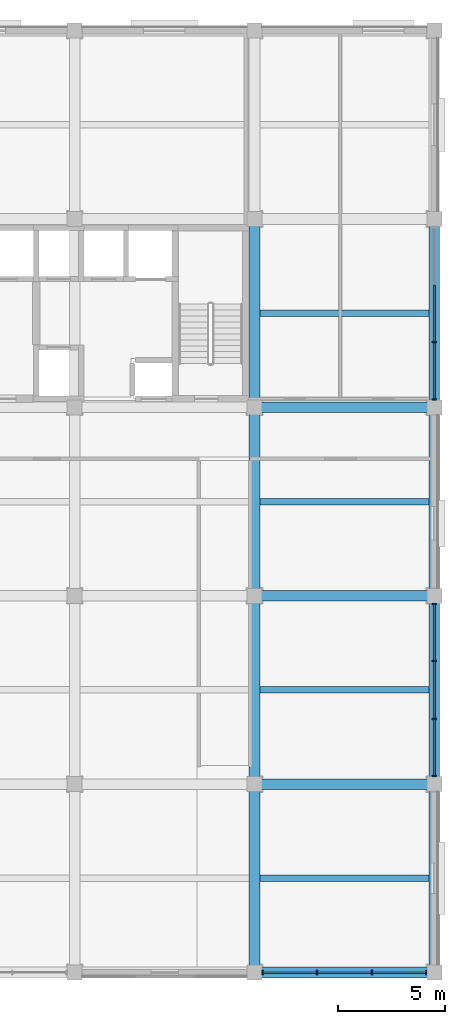
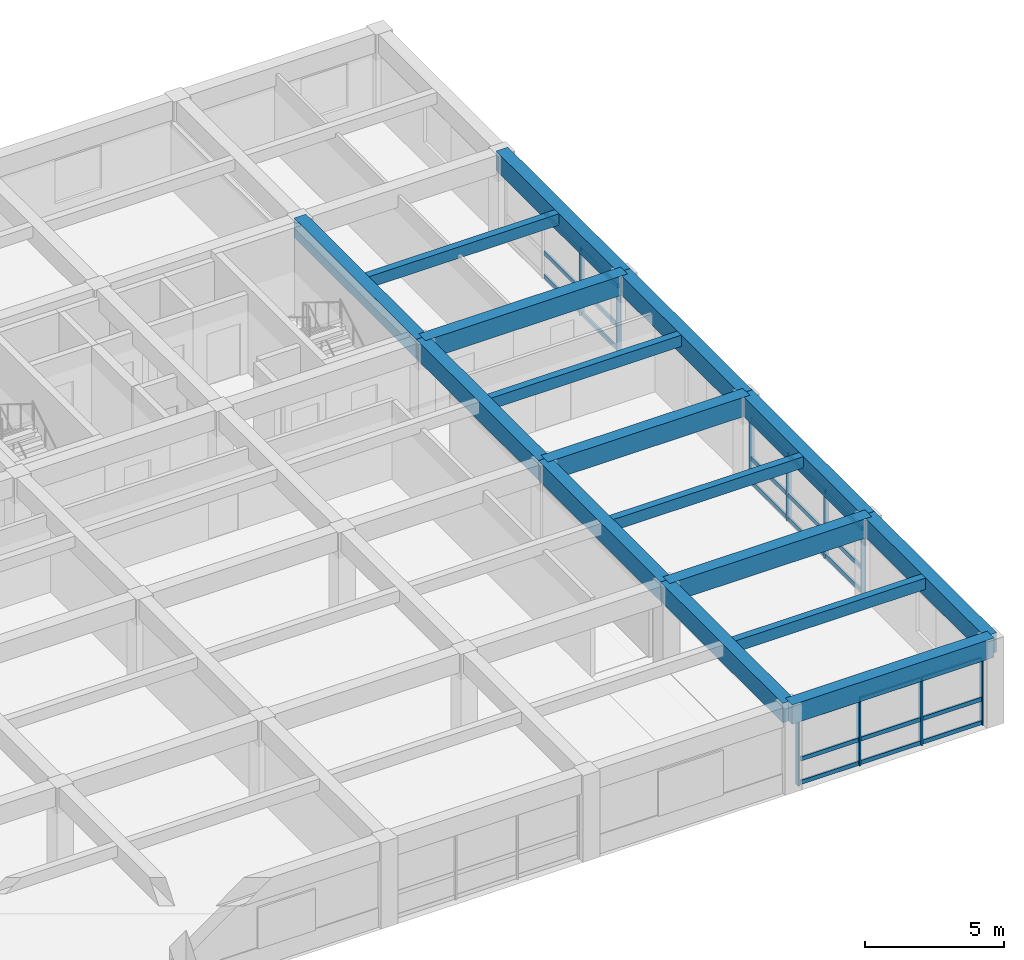
# One storey, part 4 of 12: 34 members, 16 beams, 3 elements without a shape of their own.
"""IFC4 building model written with IfcOpenShell, lengths in metres."""

from ifc_helpers import new_model, si_unit, direction, frame, origin, origin_2d, place, context, subcontext, project, spatial, rectangle, extrude, material, material_profile, profile_set, type_object, element, aggregate, save


model = new_model("IFC4")

# Units and contexts
model_context = context("Model", 3, precision=1e-05, world=origin(), true_north=direction((0.0, 1.0)))
body_context = subcontext(model_context, "Body", "Model", "MODEL_VIEW")
ifc_project = project(units=[si_unit("LENGTHUNIT", "METRE"), si_unit("AREAUNIT", "SQUARE_METRE"), si_unit("VOLUMEUNIT", "CUBIC_METRE"), si_unit("PLANEANGLEUNIT", "RADIAN"), si_unit("MASSUNIT", "GRAM", prefix="KILO")], contexts=[model_context])

# Site, building, storey
site_placement = place(None, origin())
site = spatial("IfcSite", under=ifc_project, at=site_placement, CompositionType="ELEMENT")
building_placement = place(site_placement, origin())
building = spatial("IfcBuilding", under=site, at=building_placement, Name="Kemercrest Conservatory and Botanical Centre", CompositionType="ELEMENT")
storey_placement = place(building_placement, frame((0.0, 0.0, 21.0)))
storey = spatial("IfcBuildingStorey", under=building, at=storey_placement, Name="L05", CompositionType="ELEMENT", Elevation=21.0)

# Beams
ifc_material_1 = material(Name="Concrete C50/60", Category="concrete")
ifc_material_profile_1 = material_profile(ifc_material_1, rectangle(XDim=0.5, YDim=0.85009765625, at=origin_2d()), Name="RC 500x850")
ifc_profile_set_1 = profile_set([ifc_material_profile_1], Name="Concrete C50/60")
beam_type_1 = type_object("IfcBeamType", Name="BM-RC85", PredefinedType="BEAM", material=ifc_profile_set_1)
for number, where, z_axis, x_axis, name in (
    (1, (167.60009765625, 87.199951171875, 3.375), (1.0, 0.0, 0.0), (0.0, 1.0, 0.0), "V4-L06 beam BM-RC85 K/20-21"),
    (2, (167.60009765625, 96.0, 3.375), (1.0, 0.0, 0.0), (0.0, 1.0, 0.0), "V4-L06 beam BM-RC85 L/20-21"),
    (3, (167.60009765625, 104.800048828125, 3.375), (1.0, 0.0, 0.0), (0.0, 1.0, 0.0), "V4-L06 beam BM-RC85 M/20-21"),
):
    element("IfcBeam", number, at=place(storey_placement, frame(where, z_axis=z_axis, x_axis=x_axis)), inside=storey, type_object=beam_type_1, Name=name, PredefinedType="BEAM", context=body_context, shape_type="SweptSolid", body=[
        extrude(rectangle(XDim=0.5, YDim=0.85009765625, at=origin_2d()), origin(), (0.0, 0.0, 1.0), 8.39990234375),
    ])
for number, where, z_axis, x_axis, name in (
    (4, (167.60009765625, 78.39990234375, 3.375), (0.0, 1.0, 0.0), (-1.0, 0.0, 0.0), "V4-L06 beam BM-RC85 20/J-K"),
    (5, (167.60009765625, 87.199951171875, 3.375), (0.0, 1.0, 0.0), (-1.0, 0.0, 0.0), "V4-L06 beam BM-RC85 20/K-L"),
    (6, (167.60009765625, 96.0, 3.375), (0.0, 1.0, 0.0), (-1.0, 0.0, 0.0), "V4-L06 beam BM-RC85 20/L-M"),
    (7, (167.60009765625, 104.800048828125, 3.375), (0.0, 1.0, 0.0), (-1.0, 0.0, 0.0), "V4-L06 beam BM-RC85 20/M-N"),
):
    element("IfcBeam", number, at=place(storey_placement, frame(where, z_axis=z_axis, x_axis=x_axis)), inside=storey, type_object=beam_type_1, Name=name, PredefinedType="BEAM", context=body_context, shape_type="SweptSolid", body=[
        extrude(rectangle(XDim=0.5, YDim=0.85009765625, at=origin_2d()), origin(), (0.0, 0.0, 1.0), 8.800048828125),
    ])

# Curtain wall, members
ifc_material_2 = material(Name="Thermally broken aluminium and triple low-e glazing", Category="aluminium")
curtain_wall_type_1 = type_object("IfcCurtainWallType", Name="CW-18", PredefinedType="USERDEFINED", material=ifc_material_2)
curtain_wall_1_placement = place(storey_placement, origin())
curtain_wall_1 = element("IfcCurtainWall", 8, at=curtain_wall_1_placement, inside=storey, type_object=curtain_wall_type_1, Name="Unitised curtain wall CW-18 (CW:L05:V4-077)", ObjectType="UNITISED CURTAIN WALL", PredefinedType="USERDEFINED")
ifc_material_3 = material(Name="Thermally broken anodized aluminium 6063-T6", Category="aluminium")
ifc_material_profile_2 = material_profile(ifc_material_3, rectangle(XDim=0.199951171875, YDim=0.06494140625, at=origin_2d()), Name="AL MULLION 65x200")
ifc_profile_set_2 = profile_set([ifc_material_profile_2], Name="Thermally broken anodized aluminium 6063-T6")
member_type_1 = type_object("IfcMemberType", Name="CW-M200", PredefinedType="MULLION", material=ifc_profile_set_2)
member_1_placement = place(storey_placement, frame((167.9775390625, 78.39990234375, 0.0), z_axis=(0.0, 0.0, 1.0), x_axis=(0.0, 1.0, 0.0)))
member_1 = element("IfcMember", 9, at=member_1_placement, type_object=member_type_1, Name="CW-18 mullion 1", PredefinedType="MULLION", context=body_context, shape_type="SweptSolid", body=[
    extrude(rectangle(XDim=0.199951171875, YDim=0.06494140625, at=origin_2d()), origin(), (0.0, 0.0, 1.0), 2.955078125),
])
member_2_placement = place(storey_placement, frame((170.514892578125, 78.39990234375, 0.0), z_axis=(0.0, 0.0, 1.0), x_axis=(0.0, 1.0, 0.0)))
member_2 = element("IfcMember", 10, at=member_2_placement, type_object=member_type_1, Name="CW-18 mullion 2", PredefinedType="MULLION", context=body_context, shape_type="SweptSolid", body=[
    extrude(rectangle(XDim=0.199951171875, YDim=0.06494140625, at=origin_2d()), origin(), (0.0, 0.0, 1.0), 2.955078125),
])
member_3_placement = place(storey_placement, frame((173.0849609375, 78.39990234375, 0.0), z_axis=(0.0, 0.0, 1.0), x_axis=(0.0, 1.0, 0.0)))
member_3 = element("IfcMember", 11, at=member_3_placement, type_object=member_type_1, Name="CW-18 mullion 3", PredefinedType="MULLION", context=body_context, shape_type="SweptSolid", body=[
    extrude(rectangle(XDim=0.199951171875, YDim=0.06494140625, at=origin_2d()), origin(), (0.0, 0.0, 1.0), 2.955078125),
])
member_4_placement = place(storey_placement, frame((175.62255859375, 78.39990234375, 0.0), z_axis=(0.0, 0.0, 1.0), x_axis=(0.0, 1.0, 0.0)))
member_4 = element("IfcMember", 12, at=member_4_placement, type_object=member_type_1, Name="CW-18 mullion 4", PredefinedType="MULLION", context=body_context, shape_type="SweptSolid", body=[
    extrude(rectangle(XDim=0.199951171875, YDim=0.06494140625, at=origin_2d()), origin(), (0.0, 0.0, 1.0), 2.955078125),
])

curtain_wall_type_2 = type_object("IfcCurtainWallType", Name="CW-19", PredefinedType="USERDEFINED", material=ifc_material_2)
curtain_wall_2_placement = place(storey_placement, origin())
curtain_wall_2 = element("IfcCurtainWall", 13, at=curtain_wall_2_placement, inside=storey, type_object=curtain_wall_type_2, Name="Unitised curtain wall CW-19 (CW:L05:V4-078)", ObjectType="UNITISED CURTAIN WALL", PredefinedType="USERDEFINED")
member_5_placement = place(storey_placement, frame((176.0, 87.577392578125, 0.0), z_axis=(0.0, 0.0, 1.0), x_axis=(-1.0, 0.0, 0.0)))
member_5 = element("IfcMember", 14, at=member_5_placement, type_object=member_type_1, Name="CW-19 mullion 1", PredefinedType="MULLION", context=body_context, shape_type="SweptSolid", body=[
    extrude(rectangle(XDim=0.199951171875, YDim=0.06494140625, at=origin_2d()), origin(), (0.0, 0.0, 1.0), 2.955078125),
])
member_6_placement = place(storey_placement, frame((176.0, 90.248291015625, 0.0), z_axis=(0.0, 0.0, 1.0), x_axis=(-1.0, 0.0, 0.0)))
member_6 = element("IfcMember", 15, at=member_6_placement, type_object=member_type_1, Name="CW-19 mullion 2", PredefinedType="MULLION", context=body_context, shape_type="SweptSolid", body=[
    extrude(rectangle(XDim=0.199951171875, YDim=0.06494140625, at=origin_2d()), origin(), (0.0, 0.0, 1.0), 2.955078125),
])
member_7_placement = place(storey_placement, frame((176.0, 92.95166015625, 0.0), z_axis=(0.0, 0.0, 1.0), x_axis=(-1.0, 0.0, 0.0)))
member_7 = element("IfcMember", 16, at=member_7_placement, type_object=member_type_1, Name="CW-19 mullion 3", PredefinedType="MULLION", context=body_context, shape_type="SweptSolid", body=[
    extrude(rectangle(XDim=0.199951171875, YDim=0.06494140625, at=origin_2d()), origin(), (0.0, 0.0, 1.0), 2.955078125),
])
member_8_placement = place(storey_placement, frame((176.0, 95.62255859375, 0.0), z_axis=(0.0, 0.0, 1.0), x_axis=(-1.0, 0.0, 0.0)))
member_8 = element("IfcMember", 17, at=member_8_placement, type_object=member_type_1, Name="CW-19 mullion 4", PredefinedType="MULLION", context=body_context, shape_type="SweptSolid", body=[
    extrude(rectangle(XDim=0.199951171875, YDim=0.06494140625, at=origin_2d()), origin(), (0.0, 0.0, 1.0), 2.955078125),
])

curtain_wall_type_3 = type_object("IfcCurtainWallType", Name="CW-20", PredefinedType="USERDEFINED", material=ifc_material_2)
curtain_wall_3_placement = place(storey_placement, origin())
curtain_wall_3 = element("IfcCurtainWall", 18, at=curtain_wall_3_placement, inside=storey, type_object=curtain_wall_type_3, Name="Unitised curtain wall CW-20 (CW:L05:V4-079)", ObjectType="UNITISED CURTAIN WALL", PredefinedType="USERDEFINED")
member_9_placement = place(storey_placement, frame((176.0, 105.177490234375, 0.0), z_axis=(0.0, 0.0, 1.0), x_axis=(-1.0, 0.0, 0.0)))
member_9 = element("IfcMember", 19, at=member_9_placement, type_object=member_type_1, Name="CW-20 mullion 1", PredefinedType="MULLION", context=body_context, shape_type="SweptSolid", body=[
    extrude(rectangle(XDim=0.199951171875, YDim=0.06494140625, at=origin_2d()), origin(), (0.0, 0.0, 1.0), 2.955078125),
])
member_10_placement = place(storey_placement, frame((176.0, 107.848388671875, 0.0), z_axis=(0.0, 0.0, 1.0), x_axis=(-1.0, 0.0, 0.0)))
member_10 = element("IfcMember", 20, at=member_10_placement, type_object=member_type_1, Name="CW-20 mullion 2", PredefinedType="MULLION", context=body_context, shape_type="SweptSolid", body=[
    extrude(rectangle(XDim=0.199951171875, YDim=0.06494140625, at=origin_2d()), origin(), (0.0, 0.0, 1.0), 2.955078125),
])

# Member
ifc_material_profile_3 = material_profile(ifc_material_3, rectangle(XDim=0.074951171875, YDim=0.179931640625, at=origin_2d()), Name="AL TRANSOM 75x180")
ifc_profile_set_3 = profile_set([ifc_material_profile_3], Name="Thermally broken anodized aluminium 6063-T6")
member_type_2 = type_object("IfcMemberType", Name="CW-T180", PredefinedType="USERDEFINED", material=ifc_profile_set_3)
member_11_placement = place(storey_placement, frame((168.010009765625, 78.39990234375, 0.090087890625), z_axis=(1.0, 0.0, 0.0), x_axis=(0.0, 1.0, 0.0)))
member_11 = element("IfcMember", 21, at=member_11_placement, type_object=member_type_2, Name="CW-18 transom 1.1", ObjectType="TRANSOM", PredefinedType="USERDEFINED", context=body_context, shape_type="SweptSolid", body=[
    extrude(rectangle(XDim=0.074951171875, YDim=0.179931640625, at=origin_2d()), origin(), (0.0, 0.0, 1.0), 2.472412109375),
])

member_12_placement = place(storey_placement, frame((168.010009765625, 78.39990234375, 1.1201171875), z_axis=(1.0, 0.0, 0.0), x_axis=(0.0, 1.0, 0.0)))
member_12 = element("IfcMember", 22, at=member_12_placement, type_object=member_type_2, Name="CW-18 transom 1.2", ObjectType="TRANSOM", PredefinedType="USERDEFINED", context=body_context, shape_type="SweptSolid", body=[
    extrude(rectangle(XDim=0.074951171875, YDim=0.179931640625, at=origin_2d()), origin(), (0.0, 0.0, 1.0), 2.472412109375),
])

member_13_placement = place(storey_placement, frame((168.010009765625, 78.39990234375, 2.864990234375), z_axis=(1.0, 0.0, 0.0), x_axis=(0.0, 1.0, 0.0)))
member_13 = element("IfcMember", 23, at=member_13_placement, type_object=member_type_2, Name="CW-18 transom 1.3", ObjectType="TRANSOM", PredefinedType="USERDEFINED", context=body_context, shape_type="SweptSolid", body=[
    extrude(rectangle(XDim=0.074951171875, YDim=0.179931640625, at=origin_2d()), origin(), (0.0, 0.0, 1.0), 2.472412109375),
])

member_14_placement = place(storey_placement, frame((170.547607421875, 78.39990234375, 0.090087890625), z_axis=(1.0, 0.0, 0.0), x_axis=(0.0, 1.0, 0.0)))
member_14 = element("IfcMember", 24, at=member_14_placement, type_object=member_type_2, Name="CW-18 transom 2.1", ObjectType="TRANSOM", PredefinedType="USERDEFINED", context=body_context, shape_type="SweptSolid", body=[
    extrude(rectangle(XDim=0.074951171875, YDim=0.179931640625, at=origin_2d()), origin(), (0.0, 0.0, 1.0), 2.5048828125),
])

member_15_placement = place(storey_placement, frame((170.547607421875, 78.39990234375, 1.1201171875), z_axis=(1.0, 0.0, 0.0), x_axis=(0.0, 1.0, 0.0)))
member_15 = element("IfcMember", 25, at=member_15_placement, type_object=member_type_2, Name="CW-18 transom 2.2", ObjectType="TRANSOM", PredefinedType="USERDEFINED", context=body_context, shape_type="SweptSolid", body=[
    extrude(rectangle(XDim=0.074951171875, YDim=0.179931640625, at=origin_2d()), origin(), (0.0, 0.0, 1.0), 2.5048828125),
])

member_16_placement = place(storey_placement, frame((170.547607421875, 78.39990234375, 2.864990234375), z_axis=(1.0, 0.0, 0.0), x_axis=(0.0, 1.0, 0.0)))
member_16 = element("IfcMember", 26, at=member_16_placement, type_object=member_type_2, Name="CW-18 transom 2.3", ObjectType="TRANSOM", PredefinedType="USERDEFINED", context=body_context, shape_type="SweptSolid", body=[
    extrude(rectangle(XDim=0.074951171875, YDim=0.179931640625, at=origin_2d()), origin(), (0.0, 0.0, 1.0), 2.5048828125),
])

member_17_placement = place(storey_placement, frame((173.117431640625, 78.39990234375, 0.090087890625), z_axis=(1.0, 0.0, 0.0), x_axis=(0.0, 1.0, 0.0)))
member_17 = element("IfcMember", 27, at=member_17_placement, type_object=member_type_2, Name="CW-18 transom 3.1", ObjectType="TRANSOM", PredefinedType="USERDEFINED", context=body_context, shape_type="SweptSolid", body=[
    extrude(rectangle(XDim=0.074951171875, YDim=0.179931640625, at=origin_2d()), origin(), (0.0, 0.0, 1.0), 2.47265625),
])

member_18_placement = place(storey_placement, frame((173.117431640625, 78.39990234375, 1.1201171875), z_axis=(1.0, 0.0, 0.0), x_axis=(0.0, 1.0, 0.0)))
member_18 = element("IfcMember", 28, at=member_18_placement, type_object=member_type_2, Name="CW-18 transom 3.2", ObjectType="TRANSOM", PredefinedType="USERDEFINED", context=body_context, shape_type="SweptSolid", body=[
    extrude(rectangle(XDim=0.074951171875, YDim=0.179931640625, at=origin_2d()), origin(), (0.0, 0.0, 1.0), 2.47265625),
])

member_19_placement = place(storey_placement, frame((173.117431640625, 78.39990234375, 2.864990234375), z_axis=(1.0, 0.0, 0.0), x_axis=(0.0, 1.0, 0.0)))
member_19 = element("IfcMember", 29, at=member_19_placement, type_object=member_type_2, Name="CW-18 transom 3.3", ObjectType="TRANSOM", PredefinedType="USERDEFINED", context=body_context, shape_type="SweptSolid", body=[
    extrude(rectangle(XDim=0.074951171875, YDim=0.179931640625, at=origin_2d()), origin(), (0.0, 0.0, 1.0), 2.47265625),
])

aggregate(curtain_wall_1, [member_1, member_2, member_3, member_4, member_11, member_12, member_13, member_14, member_15, member_16, member_17, member_18, member_19])

member_20_placement = place(storey_placement, frame((176.0, 87.610107421875, 0.090087890625), z_axis=(0.0, 1.0, 0.0), x_axis=(-1.0, 0.0, 0.0)))
member_20 = element("IfcMember", 30, at=member_20_placement, type_object=member_type_2, Name="CW-19 transom 1.1", ObjectType="TRANSOM", PredefinedType="USERDEFINED", context=body_context, shape_type="SweptSolid", body=[
    extrude(rectangle(XDim=0.074951171875, YDim=0.179931640625, at=origin_2d()), origin(), (0.0, 0.0, 1.0), 2.605712890625),
])

member_21_placement = place(storey_placement, frame((176.0, 87.610107421875, 1.1201171875), z_axis=(0.0, 1.0, 0.0), x_axis=(-1.0, 0.0, 0.0)))
member_21 = element("IfcMember", 31, at=member_21_placement, type_object=member_type_2, Name="CW-19 transom 1.2", ObjectType="TRANSOM", PredefinedType="USERDEFINED", context=body_context, shape_type="SweptSolid", body=[
    extrude(rectangle(XDim=0.074951171875, YDim=0.179931640625, at=origin_2d()), origin(), (0.0, 0.0, 1.0), 2.605712890625),
])

member_22_placement = place(storey_placement, frame((176.0, 87.610107421875, 2.864990234375), z_axis=(0.0, 1.0, 0.0), x_axis=(-1.0, 0.0, 0.0)))
member_22 = element("IfcMember", 32, at=member_22_placement, type_object=member_type_2, Name="CW-19 transom 1.3", ObjectType="TRANSOM", PredefinedType="USERDEFINED", context=body_context, shape_type="SweptSolid", body=[
    extrude(rectangle(XDim=0.074951171875, YDim=0.179931640625, at=origin_2d()), origin(), (0.0, 0.0, 1.0), 2.605712890625),
])

member_23_placement = place(storey_placement, frame((176.0, 90.28076171875, 0.090087890625), z_axis=(0.0, 1.0, 0.0), x_axis=(-1.0, 0.0, 0.0)))
member_23 = element("IfcMember", 33, at=member_23_placement, type_object=member_type_2, Name="CW-19 transom 2.1", ObjectType="TRANSOM", PredefinedType="USERDEFINED", context=body_context, shape_type="SweptSolid", body=[
    extrude(rectangle(XDim=0.074951171875, YDim=0.179931640625, at=origin_2d()), origin(), (0.0, 0.0, 1.0), 2.638427734375),
])

member_24_placement = place(storey_placement, frame((176.0, 90.28076171875, 1.1201171875), z_axis=(0.0, 1.0, 0.0), x_axis=(-1.0, 0.0, 0.0)))
member_24 = element("IfcMember", 34, at=member_24_placement, type_object=member_type_2, Name="CW-19 transom 2.2", ObjectType="TRANSOM", PredefinedType="USERDEFINED", context=body_context, shape_type="SweptSolid", body=[
    extrude(rectangle(XDim=0.074951171875, YDim=0.179931640625, at=origin_2d()), origin(), (0.0, 0.0, 1.0), 2.638427734375),
])

member_25_placement = place(storey_placement, frame((176.0, 90.28076171875, 2.864990234375), z_axis=(0.0, 1.0, 0.0), x_axis=(-1.0, 0.0, 0.0)))
member_25 = element("IfcMember", 35, at=member_25_placement, type_object=member_type_2, Name="CW-19 transom 2.3", ObjectType="TRANSOM", PredefinedType="USERDEFINED", context=body_context, shape_type="SweptSolid", body=[
    extrude(rectangle(XDim=0.074951171875, YDim=0.179931640625, at=origin_2d()), origin(), (0.0, 0.0, 1.0), 2.638427734375),
])

member_26_placement = place(storey_placement, frame((176.0, 92.984130859375, 0.090087890625), z_axis=(0.0, 1.0, 0.0), x_axis=(-1.0, 0.0, 0.0)))
member_26 = element("IfcMember", 36, at=member_26_placement, type_object=member_type_2, Name="CW-19 transom 3.1", ObjectType="TRANSOM", PredefinedType="USERDEFINED", context=body_context, shape_type="SweptSolid", body=[
    extrude(rectangle(XDim=0.074951171875, YDim=0.179931640625, at=origin_2d()), origin(), (0.0, 0.0, 1.0), 2.60595703125),
])

member_27_placement = place(storey_placement, frame((176.0, 92.984130859375, 1.1201171875), z_axis=(0.0, 1.0, 0.0), x_axis=(-1.0, 0.0, 0.0)))
member_27 = element("IfcMember", 37, at=member_27_placement, type_object=member_type_2, Name="CW-19 transom 3.2", ObjectType="TRANSOM", PredefinedType="USERDEFINED", context=body_context, shape_type="SweptSolid", body=[
    extrude(rectangle(XDim=0.074951171875, YDim=0.179931640625, at=origin_2d()), origin(), (0.0, 0.0, 1.0), 2.60595703125),
])

member_28_placement = place(storey_placement, frame((176.0, 92.984130859375, 2.864990234375), z_axis=(0.0, 1.0, 0.0), x_axis=(-1.0, 0.0, 0.0)))
member_28 = element("IfcMember", 38, at=member_28_placement, type_object=member_type_2, Name="CW-19 transom 3.3", ObjectType="TRANSOM", PredefinedType="USERDEFINED", context=body_context, shape_type="SweptSolid", body=[
    extrude(rectangle(XDim=0.074951171875, YDim=0.179931640625, at=origin_2d()), origin(), (0.0, 0.0, 1.0), 2.60595703125),
])

aggregate(curtain_wall_2, [member_5, member_6, member_7, member_8, member_20, member_21, member_22, member_23, member_24, member_25, member_26, member_27, member_28])

member_29_placement = place(storey_placement, frame((176.0, 105.2099609375, 0.090087890625), z_axis=(0.0, 1.0, 0.0), x_axis=(-1.0, 0.0, 0.0)))
member_29 = element("IfcMember", 39, at=member_29_placement, type_object=member_type_2, Name="CW-20 transom 1.1", ObjectType="TRANSOM", PredefinedType="USERDEFINED", context=body_context, shape_type="SweptSolid", body=[
    extrude(rectangle(XDim=0.074951171875, YDim=0.179931640625, at=origin_2d()), origin(), (0.0, 0.0, 1.0), 2.60595703125),
])

member_30_placement = place(storey_placement, frame((176.0, 105.2099609375, 1.1201171875), z_axis=(0.0, 1.0, 0.0), x_axis=(-1.0, 0.0, 0.0)))
member_30 = element("IfcMember", 40, at=member_30_placement, type_object=member_type_2, Name="CW-20 transom 1.2", ObjectType="TRANSOM", PredefinedType="USERDEFINED", context=body_context, shape_type="SweptSolid", body=[
    extrude(rectangle(XDim=0.074951171875, YDim=0.179931640625, at=origin_2d()), origin(), (0.0, 0.0, 1.0), 2.60595703125),
])

member_31_placement = place(storey_placement, frame((176.0, 105.2099609375, 2.864990234375), z_axis=(0.0, 1.0, 0.0), x_axis=(-1.0, 0.0, 0.0)))
member_31 = element("IfcMember", 41, at=member_31_placement, type_object=member_type_2, Name="CW-20 transom 1.3", ObjectType="TRANSOM", PredefinedType="USERDEFINED", context=body_context, shape_type="SweptSolid", body=[
    extrude(rectangle(XDim=0.074951171875, YDim=0.179931640625, at=origin_2d()), origin(), (0.0, 0.0, 1.0), 2.60595703125),
])

member_32_placement = place(storey_placement, frame((176.0, 107.880859375, 0.090087890625), z_axis=(0.0, 1.0, 0.0), x_axis=(-1.0, 0.0, 0.0)))
member_32 = element("IfcMember", 42, at=member_32_placement, type_object=member_type_2, Name="CW-20 transom 2.1", ObjectType="TRANSOM", PredefinedType="USERDEFINED", context=body_context, shape_type="SweptSolid", body=[
    extrude(rectangle(XDim=0.074951171875, YDim=0.179931640625, at=origin_2d()), origin(), (0.0, 0.0, 1.0), 2.638427734375),
])

member_33_placement = place(storey_placement, frame((176.0, 107.880859375, 1.1201171875), z_axis=(0.0, 1.0, 0.0), x_axis=(-1.0, 0.0, 0.0)))
member_33 = element("IfcMember", 43, at=member_33_placement, type_object=member_type_2, Name="CW-20 transom 2.2", ObjectType="TRANSOM", PredefinedType="USERDEFINED", context=body_context, shape_type="SweptSolid", body=[
    extrude(rectangle(XDim=0.074951171875, YDim=0.179931640625, at=origin_2d()), origin(), (0.0, 0.0, 1.0), 2.638427734375),
])

member_34_placement = place(storey_placement, frame((176.0, 107.880859375, 2.864990234375), z_axis=(0.0, 1.0, 0.0), x_axis=(-1.0, 0.0, 0.0)))
member_34 = element("IfcMember", 44, at=member_34_placement, type_object=member_type_2, Name="CW-20 transom 2.3", ObjectType="TRANSOM", PredefinedType="USERDEFINED", context=body_context, shape_type="SweptSolid", body=[
    extrude(rectangle(XDim=0.074951171875, YDim=0.179931640625, at=origin_2d()), origin(), (0.0, 0.0, 1.0), 2.638427734375),
])

aggregate(curtain_wall_3, [member_9, member_10, member_29, member_30, member_31, member_32, member_33, member_34])

# Beams
ifc_material_4 = material(Name="Concrete C40/50", Category="concrete")
ifc_material_profile_4 = material_profile(ifc_material_4, rectangle(XDim=0.300048828125, YDim=0.5, at=origin_2d()), Name="RC 300x500")
ifc_profile_set_4 = profile_set([ifc_material_profile_4], Name="Concrete C40/50")
beam_type_2 = type_object("IfcBeamType", Name="JS-RC50", PredefinedType="JOIST", material=ifc_profile_set_4)
for number, where, z_axis, x_axis, name in (
    (45, (167.85009765625, 82.800048828125, 3.550048828125), (1.0, 0.0, 0.0), (0.0, 1.0, 0.0), "V4-L06 secondary joist JS-RC50"),
    (46, (167.85009765625, 91.60009765625, 3.550048828125), (1.0, 0.0, 0.0), (0.0, 1.0, 0.0), "V4-L06 secondary joist JS-RC50"),
    (47, (167.85009765625, 100.39990234375, 3.550048828125), (1.0, 0.0, 0.0), (0.0, 1.0, 0.0), "V4-L06 secondary joist JS-RC50"),
    (48, (167.85009765625, 109.199951171875, 3.550048828125), (1.0, 0.0, 0.0), (0.0, 1.0, 0.0), "V4-L06 secondary joist JS-RC50"),
):
    element("IfcBeam", number, at=place(storey_placement, frame(where, z_axis=z_axis, x_axis=x_axis)), inside=storey, type_object=beam_type_2, Name=name, PredefinedType="JOIST", context=body_context, shape_type="SweptSolid", body=[
        extrude(rectangle(XDim=0.300048828125, YDim=0.5, at=origin_2d()), origin(), (0.0, 0.0, 1.0), 7.89990234375),
    ])
ifc_material_profile_5 = material_profile(ifc_material_1, rectangle(XDim=0.5, YDim=0.85009765625, at=origin_2d()), Name="RC 500x850")
ifc_profile_set_5 = profile_set([ifc_material_profile_5], Name="Concrete C50/60")
beam_type_3 = type_object("IfcBeamType", Name="SP-RC85", PredefinedType="SPANDREL", material=ifc_profile_set_5)
beam_placement = place(storey_placement, frame((167.60009765625, 78.39990234375, 3.375), z_axis=(1.0, 0.0, 0.0), x_axis=(0.0, 1.0, 0.0)))
element("IfcBeam", 49, at=beam_placement, inside=storey, type_object=beam_type_3, Name="V4-L06 beam SP-RC85 J/20-21", PredefinedType="SPANDREL", context=body_context, shape_type="SweptSolid", body=[
    extrude(rectangle(XDim=0.5, YDim=0.85009765625, at=origin_2d()), origin(), (0.0, 0.0, 1.0), 8.39990234375),
])
for number, where, z_axis, x_axis, name in (
    (50, (176.0, 78.39990234375, 3.375), (0.0, 1.0, 0.0), (-1.0, 0.0, 0.0), "V4-L06 beam SP-RC85 21/J-K"),
    (51, (176.0, 87.199951171875, 3.375), (0.0, 1.0, 0.0), (-1.0, 0.0, 0.0), "V4-L06 beam SP-RC85 21/K-L"),
    (52, (176.0, 96.0, 3.375), (0.0, 1.0, 0.0), (-1.0, 0.0, 0.0), "V4-L06 beam SP-RC85 21/L-M"),
    (53, (176.0, 104.800048828125, 3.375), (0.0, 1.0, 0.0), (-1.0, 0.0, 0.0), "V4-L06 beam SP-RC85 21/M-N"),
):
    element("IfcBeam", number, at=place(storey_placement, frame(where, z_axis=z_axis, x_axis=x_axis)), inside=storey, type_object=beam_type_3, Name=name, PredefinedType="SPANDREL", context=body_context, shape_type="SweptSolid", body=[
        extrude(rectangle(XDim=0.5, YDim=0.85009765625, at=origin_2d()), origin(), (0.0, 0.0, 1.0), 8.800048828125),
    ])

save(model, "model.ifc")
